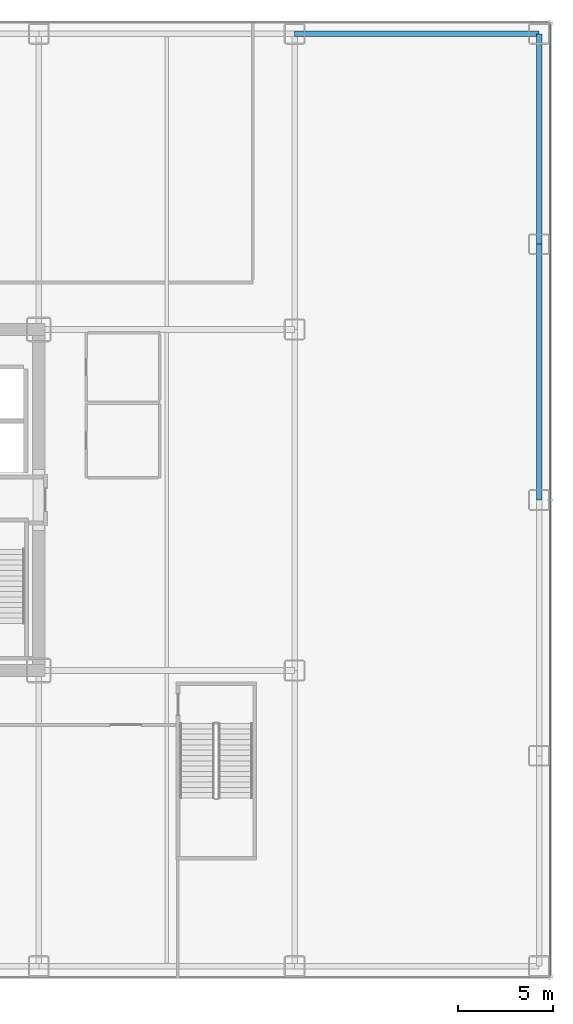
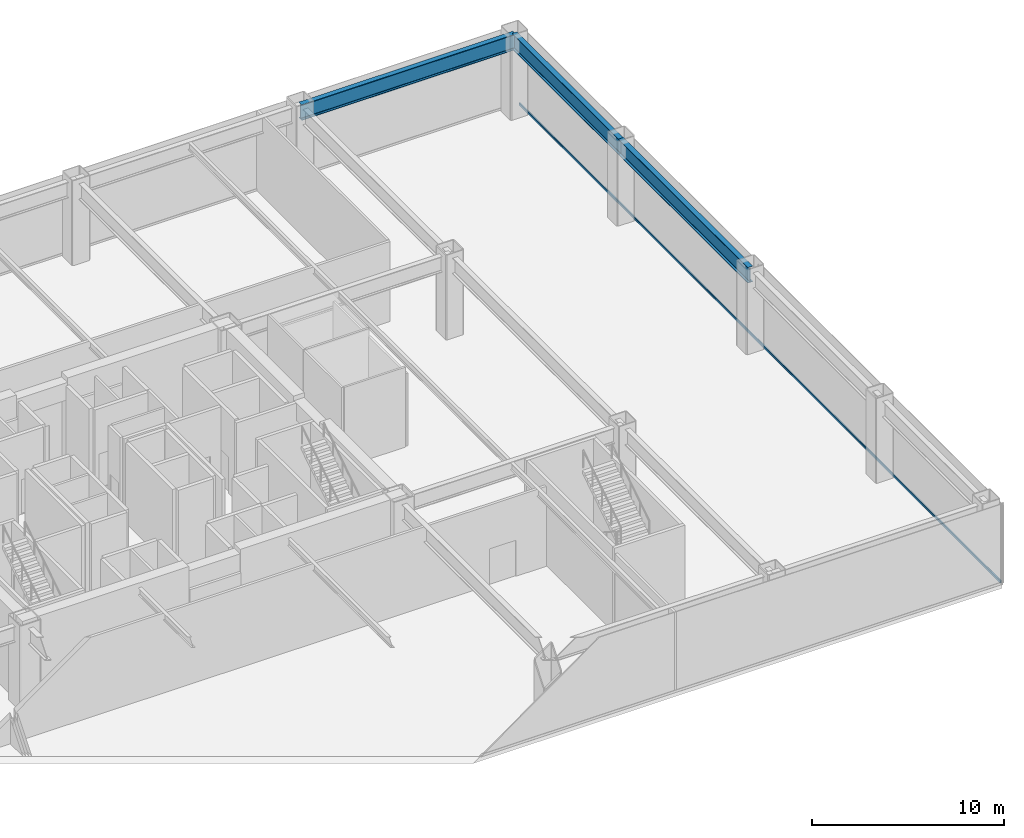
# One storey, part 14 of 24: 3 beams, 1 member, 1 element without a shape of its own.
"""IFC4 building model written with IfcOpenShell, lengths in metres."""

from ifc_helpers import new_model, si_unit, direction, frame, origin, origin_2d, place, context, subcontext, project, spatial, hollow_rectangle, i_section, extrude, source, transform, mapped, material, layer, layer_set, material_profile, profile_set, type_object, element, aggregate, save


model = new_model("IFC4")

# Units and contexts
model_context = context("Model", 3, precision=1e-05, world=origin(), true_north=direction((0.0, 1.0)))
body_context = subcontext(model_context, "Body", "Model", "MODEL_VIEW")
ifc_project = project(units=[si_unit("LENGTHUNIT", "METRE"), si_unit("AREAUNIT", "SQUARE_METRE"), si_unit("VOLUMEUNIT", "CUBIC_METRE"), si_unit("PLANEANGLEUNIT", "RADIAN"), si_unit("MASSUNIT", "GRAM", prefix="KILO")], contexts=[model_context])

# Site, building, storey
site_placement = place(None, origin())
site = spatial("IfcSite", under=ifc_project, at=site_placement, CompositionType="ELEMENT")
building_placement = place(site_placement, origin())
building = spatial("IfcBuilding", under=site, at=building_placement, Name="Nefas-Gora Pilgrimage Tower", CompositionType="ELEMENT")
storey_placement = place(building_placement, frame((0.0, 0.0, 6.0)))
storey = spatial("IfcBuildingStorey", under=building, at=storey_placement, Name="L01", CompositionType="ELEMENT", Elevation=6.0)

# Beams
ifc_material_1 = material(Name="Steel S460", Category="steel")
ifc_material_profile_1 = material_profile(ifc_material_1, i_section(OverallWidth=0.300048828125, OverallDepth=1.0, WebThickness=0.01904296875, FlangeThickness=0.035888671875, FilletRadius=0.030029296875, at=origin_2d()), Name="HEB 1000")
ifc_profile_set_1 = profile_set([ifc_material_profile_1], Name="Steel S460")
beam_type = type_object("IfcBeamType", Name="BM-POD-HEB1000E", PredefinedType="BEAM", material=ifc_profile_set_1)
shared_shape_1 = source(origin(), body_context, "Body", "SweptSolid", [
    extrude(i_section(OverallWidth=0.300048828125, OverallDepth=1.0, WebThickness=0.01904296875, FlangeThickness=0.035888671875, FilletRadius=0.030029296875, at=origin_2d()), origin(), (0.0, 0.0, 1.0), 12.89990234375),
])
beam_1_placement = place(storey_placement, frame((24.75, 24.60009765625, 4.60009765625), z_axis=(1.0, 0.0, 0.0), x_axis=(0.0, 1.0, 0.0)))
element("IfcBeam", 1, at=beam_1_placement, inside=storey, type_object=beam_type, Name="L01 PG-01E beam", PredefinedType="BEAM", context=body_context, shape_type="MappedRepresentation", body=[
    mapped(shared_shape_1, transform((0.0, 0.0, 0.0), x_axis=(1.0, 0.0, 0.0), y_axis=(0.0, 1.0, 0.0), z_axis=(0.0, 0.0, 1.0), scale=1.0)),
])
shared_shape_2 = source(origin(), body_context, "Body", "SweptSolid", [
    extrude(i_section(OverallWidth=0.300048828125, OverallDepth=1.0, WebThickness=0.01904296875, FlangeThickness=0.035888671875, FilletRadius=0.030029296875, at=origin_2d()), origin(), (0.0, 0.0, 1.0), 13.5),
])
beam_2_placement = place(storey_placement, frame((37.64990234375, 0.0, 4.60009765625), z_axis=(0.0, 1.0, 0.0), x_axis=(-1.0, 0.0, 0.0)))
element("IfcBeam", 2, at=beam_2_placement, inside=storey, type_object=beam_type, Name="L01 PG-01E beam", PredefinedType="BEAM", context=body_context, shape_type="MappedRepresentation", body=[
    mapped(shared_shape_2, transform((0.0, 0.0, 0.0), x_axis=(1.0, 0.0, 0.0), y_axis=(0.0, 1.0, 0.0), z_axis=(0.0, 0.0, 1.0), scale=1.0)),
])
shared_shape_3 = source(origin(), body_context, "Body", "SweptSolid", [
    extrude(i_section(OverallWidth=0.300048828125, OverallDepth=1.0, WebThickness=0.01904296875, FlangeThickness=0.035888671875, FilletRadius=0.030029296875, at=origin_2d()), origin(), (0.0, 0.0, 1.0), 11.10009765625),
])
beam_3_placement = place(storey_placement, frame((37.64990234375, 13.5, 4.60009765625), z_axis=(0.0, 1.0, 0.0), x_axis=(-1.0, 0.0, 0.0)))
element("IfcBeam", 3, at=beam_3_placement, inside=storey, type_object=beam_type, Name="L01 PG-01E beam", PredefinedType="BEAM", context=body_context, shape_type="MappedRepresentation", body=[
    mapped(shared_shape_3, transform((0.0, 0.0, 0.0), x_axis=(1.0, 0.0, 0.0), y_axis=(0.0, 1.0, 0.0), z_axis=(0.0, 0.0, 1.0), scale=1.0)),
])

# Curtain wall, member
ifc_material_2 = material(Name="Dark ceramic-fritted solar-control aluminium-glass curtain wall", Category="aluminium")
ifc_layer = layer(ifc_material_2, 0.219970703125)
ifc_layer_set = layer_set([ifc_layer], Name="Dark ceramic-fritted solar-control aluminium-glass curtain wall")
curtain_wall_type = type_object("IfcCurtainWallType", Name="CW-SYS-1", PredefinedType="NOTDEFINED", material=ifc_layer_set)
curtain_wall_placement = place(storey_placement, origin())
curtain_wall = element("IfcCurtainWall", 4, at=curtain_wall_placement, inside=storey, type_object=curtain_wall_type, Name="L01 Unitised Curtain Wall CW1", PredefinedType="NOTDEFINED")
ifc_material_3 = material(Name="Anodised architectural aluminium", Category="aluminium")
ifc_material_profile_2 = material_profile(ifc_material_3, hollow_rectangle(XDim=0.080078125, YDim=0.159912109375, WallThickness=0.00439453125, InnerFilletRadius=0.00439453125, OuterFilletRadius=0.009033203125, at=origin_2d()), Name="ALU TRANSOM 80x160")
ifc_profile_set_2 = profile_set([ifc_material_profile_2], Name="Anodised architectural aluminium")
member_type = type_object("IfcMemberType", Name="CWM-TRN-1", PredefinedType="USERDEFINED", material=ifc_profile_set_2)
shared_shape_4 = source(origin(), body_context, "Body", "SweptSolid", [
    extrude(hollow_rectangle(XDim=0.080078125, YDim=0.159912109375, WallThickness=0.00439453125, InnerFilletRadius=0.00439453125, OuterFilletRadius=0.009033203125, at=origin_2d()), origin(), (0.0, 0.0, 1.0), 50.22021484375),
])
member_placement = place(storey_placement, frame((38.25, -25.110107421875, 0.050048828125), z_axis=(0.0, 1.0, 0.0), x_axis=(-1.0, 0.0, 0.0)))
member = element("IfcMember", 5, at=member_placement, type_object=member_type, Name="CW1 Spandrel Transom", ObjectType="TRANSOM", PredefinedType="USERDEFINED", context=body_context, shape_type="MappedRepresentation", body=[
    mapped(shared_shape_4, transform((0.0, 0.0, 0.0), x_axis=(1.0, 0.0, 0.0), y_axis=(0.0, 1.0, 0.0), z_axis=(0.0, 0.0, 1.0), scale=1.0)),
])
aggregate(curtain_wall, [member])

save(model, "model.ifc")
